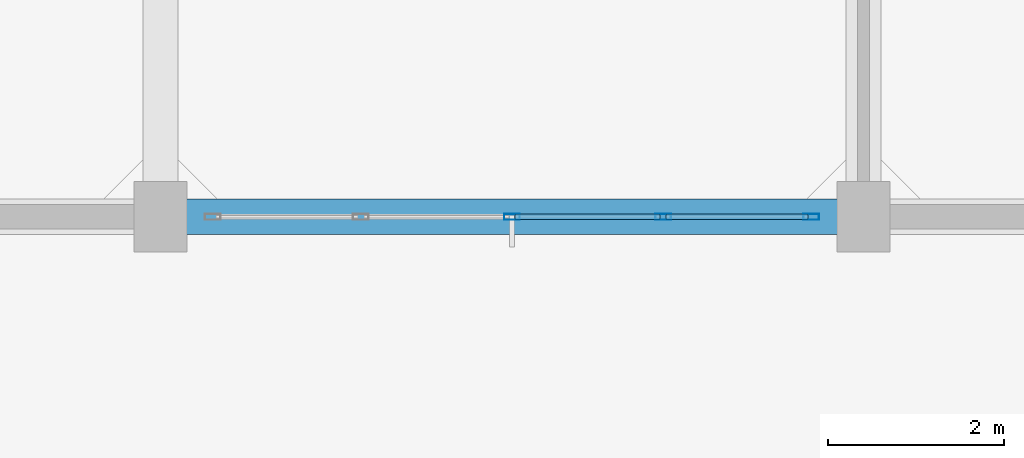
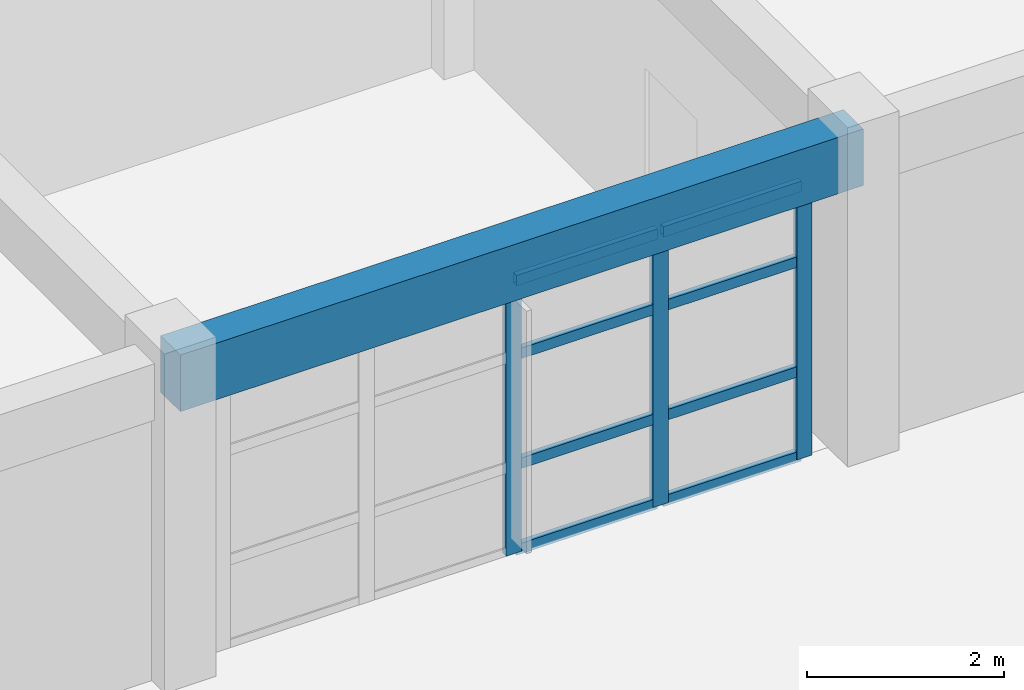
# One storey, part 6 of 30: 11 members, 1 beam, 1 element without a shape of its own.
"""IFC4 building model written with IfcOpenShell, lengths in metres."""

from ifc_helpers import new_model, si_unit, direction, frame, origin, origin_2d, place, context, subcontext, project, spatial, rectangle, hollow_rectangle, extrude, material, layer, layer_set, material_profile, profile_set, type_object, element, aggregate, save


model = new_model("IFC4")

# Units and contexts
model_context = context("Model", 3, precision=1e-05, world=origin(), true_north=direction((0.0, 1.0)))
body_context = subcontext(model_context, "Body", "Model", "MODEL_VIEW")
ifc_project = project(units=[si_unit("LENGTHUNIT", "METRE"), si_unit("AREAUNIT", "SQUARE_METRE"), si_unit("VOLUMEUNIT", "CUBIC_METRE"), si_unit("PLANEANGLEUNIT", "RADIAN"), si_unit("MASSUNIT", "GRAM", prefix="KILO")], contexts=[model_context])

# Site, building, storey
site_placement = place(None, origin())
site = spatial("IfcSite", under=ifc_project, at=site_placement, CompositionType="ELEMENT")
building_placement = place(site_placement, origin())
building = spatial("IfcBuilding", under=site, at=building_placement, Name="Canggui Botanical Conservatory", CompositionType="ELEMENT")
storey_placement = place(building_placement, frame((0.0, 0.0, 27.60009765625)))
storey = spatial("IfcBuildingStorey", under=building, at=storey_placement, Name="L07", CompositionType="ELEMENT", Elevation=27.60009765625)

# Beam
ifc_material_1 = material(Name="Concrete C35", Category="concrete")
ifc_material_profile_1 = material_profile(ifc_material_1, rectangle(XDim=0.39990234375, YDim=0.699951171875, at=origin_2d()), Name="RB 400x700")
ifc_profile_set_1 = profile_set([ifc_material_profile_1], Name="Concrete C35")
beam_type = type_object("IfcBeamType", Name="BM-KL11", PredefinedType="BEAM", material=ifc_profile_set_1)
beam_placement = place(storey_placement, frame((154.0, 34.0, 3.60986328125), z_axis=(1.0, 0.0, 0.0), x_axis=(0.0, 1.0, 0.0)))
element("IfcBeam", 1, at=beam_placement, inside=storey, type_object=beam_type, Name="Frame Girder L07 Y34-3", PredefinedType="BEAM", context=body_context, shape_type="SweptSolid", body=[
    extrude(rectangle(XDim=0.39990234375, YDim=0.699951171875, at=origin_2d()), origin(), (0.0, 0.0, 1.0), 8.0),
])

# Curtain wall, members
ifc_material_2 = material(Name="Thermally Broken Aluminium", Category="aluminium")
ifc_layer = layer(ifc_material_2, 0.179931640625, Name="Thermally Broken Aluminium", Category="aluminium")
ifc_layer_set = layer_set([ifc_layer], Name="Thermally Broken Aluminium")
curtain_wall_type = type_object("IfcCurtainWallType", Name="CW-UNIT-A", PredefinedType="USERDEFINED", material=ifc_layer_set)
curtain_wall_placement = place(storey_placement, origin())
curtain_wall = element("IfcCurtainWall", 2, at=curtain_wall_placement, inside=storey, type_object=curtain_wall_type, Name="Facade Curtain Wall CW-TWR-L07-03", ObjectType="UNITISED CURTAIN WALL", PredefinedType="USERDEFINED")
ifc_material_profile_2 = material_profile(ifc_material_2, hollow_rectangle(XDim=0.070068359375, YDim=0.179931640625, WallThickness=0.00390625, at=origin_2d()), Name="CWM 70x180x4")
ifc_profile_set_2 = profile_set([ifc_material_profile_2], Name="Thermally Broken Aluminium")
member_type_1 = type_object("IfcMemberType", Name="CWM-01", PredefinedType="MULLION", material=ifc_profile_set_2)
member_1_placement = place(storey_placement, frame((161.405029296875, 34.0, 0.0), z_axis=(0.0, 0.0, 1.0), x_axis=(0.0, -1.0, 0.0)))
member_1 = element("IfcMember", 3, at=member_1_placement, type_object=member_type_1, Name="CW-01 mullion 1", PredefinedType="MULLION", context=body_context, shape_type="SweptSolid", body=[
    extrude(hollow_rectangle(XDim=0.070068359375, YDim=0.179931640625, WallThickness=0.00390625, at=origin_2d()), origin(), (0.0, 0.0, 1.0), 3.39990234375),
])
member_2_placement = place(storey_placement, frame((159.719970703125, 34.0, 0.0), z_axis=(0.0, 0.0, 1.0), x_axis=(0.0, -1.0, 0.0)))
member_2 = element("IfcMember", 4, at=member_2_placement, type_object=member_type_1, Name="CW-01 mullion 2", PredefinedType="MULLION", context=body_context, shape_type="SweptSolid", body=[
    extrude(hollow_rectangle(XDim=0.070068359375, YDim=0.179931640625, WallThickness=0.00390625, at=origin_2d()), origin(), (0.0, 0.0, 1.0), 3.39990234375),
])
member_3_placement = place(storey_placement, frame((158.0, 34.0, 0.0), z_axis=(0.0, 0.0, 1.0), x_axis=(0.0, -1.0, 0.0)))
member_3 = element("IfcMember", 5, at=member_3_placement, type_object=member_type_1, Name="CW-01 mullion 3", PredefinedType="MULLION", context=body_context, shape_type="SweptSolid", body=[
    extrude(hollow_rectangle(XDim=0.070068359375, YDim=0.179931640625, WallThickness=0.00390625, at=origin_2d()), origin(), (0.0, 0.0, 1.0), 3.39990234375),
])
ifc_material_profile_3 = material_profile(ifc_material_2, hollow_rectangle(XDim=0.06494140625, YDim=0.1298828125, WallThickness=0.00341796875, at=origin_2d()), Name="CWT 65x130x3.5")
ifc_profile_set_3 = profile_set([ifc_material_profile_3], Name="Thermally Broken Aluminium")
member_type_2 = type_object("IfcMemberType", Name="CWT-01", PredefinedType="USERDEFINED", material=ifc_profile_set_3)
member_4_placement = place(storey_placement, frame((161.3701171875, 34.0, 0.032470703125), z_axis=(-1.0, 0.0, 0.0), x_axis=(0.0, -1.0, 0.0)))
member_4 = element("IfcMember", 6, at=member_4_placement, type_object=member_type_2, Name="CW-01 transom 1.1", ObjectType="TRANSOM", PredefinedType="USERDEFINED", context=body_context, shape_type="SweptSolid", body=[
    extrude(hollow_rectangle(XDim=0.06494140625, YDim=0.1298828125, WallThickness=0.00341796875, at=origin_2d()), origin(), (0.0, 0.0, 1.0), 1.615234375),
])
member_5_placement = place(storey_placement, frame((161.3701171875, 34.0, 1.087890625), z_axis=(-1.0, 0.0, 0.0), x_axis=(0.0, -1.0, 0.0)))
member_5 = element("IfcMember", 7, at=member_5_placement, type_object=member_type_2, Name="CW-01 transom 1.2", ObjectType="TRANSOM", PredefinedType="USERDEFINED", context=body_context, shape_type="SweptSolid", body=[
    extrude(hollow_rectangle(XDim=0.06494140625, YDim=0.1298828125, WallThickness=0.00341796875, at=origin_2d()), origin(), (0.0, 0.0, 1.0), 1.615234375),
])
member_6_placement = place(storey_placement, frame((161.3701171875, 34.0, 2.447998046875), z_axis=(-1.0, 0.0, 0.0), x_axis=(0.0, -1.0, 0.0)))
member_6 = element("IfcMember", 8, at=member_6_placement, type_object=member_type_2, Name="CW-01 transom 1.3", ObjectType="TRANSOM", PredefinedType="USERDEFINED", context=body_context, shape_type="SweptSolid", body=[
    extrude(hollow_rectangle(XDim=0.06494140625, YDim=0.1298828125, WallThickness=0.00341796875, at=origin_2d()), origin(), (0.0, 0.0, 1.0), 1.615234375),
])
member_7_placement = place(storey_placement, frame((161.3701171875, 34.0, 3.367431640625), z_axis=(-1.0, 0.0, 0.0), x_axis=(0.0, -1.0, 0.0)))
member_7 = element("IfcMember", 9, at=member_7_placement, type_object=member_type_2, Name="CW-01 transom 1.4", ObjectType="TRANSOM", PredefinedType="USERDEFINED", context=body_context, shape_type="SweptSolid", body=[
    extrude(hollow_rectangle(XDim=0.06494140625, YDim=0.1298828125, WallThickness=0.00341796875, at=origin_2d()), origin(), (0.0, 0.0, 1.0), 1.615234375),
])
member_8_placement = place(storey_placement, frame((159.68505859375, 34.0, 0.032470703125), z_axis=(-1.0, 0.0, 0.0), x_axis=(0.0, -1.0, 0.0)))
member_8 = element("IfcMember", 10, at=member_8_placement, type_object=member_type_2, Name="CW-01 transom 2.1", ObjectType="TRANSOM", PredefinedType="USERDEFINED", context=body_context, shape_type="SweptSolid", body=[
    extrude(hollow_rectangle(XDim=0.06494140625, YDim=0.1298828125, WallThickness=0.00341796875, at=origin_2d()), origin(), (0.0, 0.0, 1.0), 1.650146484375),
])
member_9_placement = place(storey_placement, frame((159.68505859375, 34.0, 1.087890625), z_axis=(-1.0, 0.0, 0.0), x_axis=(0.0, -1.0, 0.0)))
member_9 = element("IfcMember", 11, at=member_9_placement, type_object=member_type_2, Name="CW-01 transom 2.2", ObjectType="TRANSOM", PredefinedType="USERDEFINED", context=body_context, shape_type="SweptSolid", body=[
    extrude(hollow_rectangle(XDim=0.06494140625, YDim=0.1298828125, WallThickness=0.00341796875, at=origin_2d()), origin(), (0.0, 0.0, 1.0), 1.650146484375),
])
member_10_placement = place(storey_placement, frame((159.68505859375, 34.0, 2.447998046875), z_axis=(-1.0, 0.0, 0.0), x_axis=(0.0, -1.0, 0.0)))
member_10 = element("IfcMember", 12, at=member_10_placement, type_object=member_type_2, Name="CW-01 transom 2.3", ObjectType="TRANSOM", PredefinedType="USERDEFINED", context=body_context, shape_type="SweptSolid", body=[
    extrude(hollow_rectangle(XDim=0.06494140625, YDim=0.1298828125, WallThickness=0.00341796875, at=origin_2d()), origin(), (0.0, 0.0, 1.0), 1.650146484375),
])
member_11_placement = place(storey_placement, frame((159.68505859375, 34.0, 3.367431640625), z_axis=(-1.0, 0.0, 0.0), x_axis=(0.0, -1.0, 0.0)))
member_11 = element("IfcMember", 13, at=member_11_placement, type_object=member_type_2, Name="CW-01 transom 2.4", ObjectType="TRANSOM", PredefinedType="USERDEFINED", context=body_context, shape_type="SweptSolid", body=[
    extrude(hollow_rectangle(XDim=0.06494140625, YDim=0.1298828125, WallThickness=0.00341796875, at=origin_2d()), origin(), (0.0, 0.0, 1.0), 1.650146484375),
])
aggregate(curtain_wall, [member_1, member_2, member_3, member_4, member_5, member_6, member_7, member_8, member_9, member_10, member_11])

save(model, "model.ifc")
